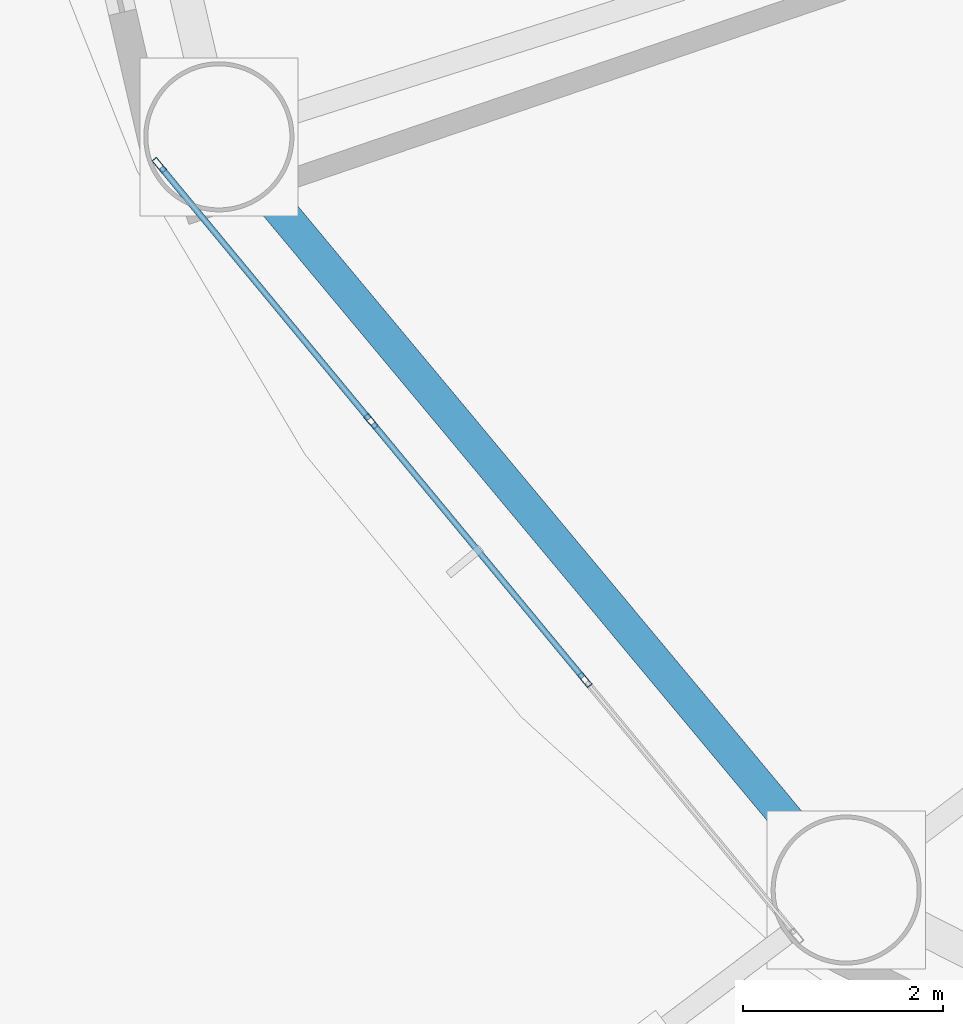
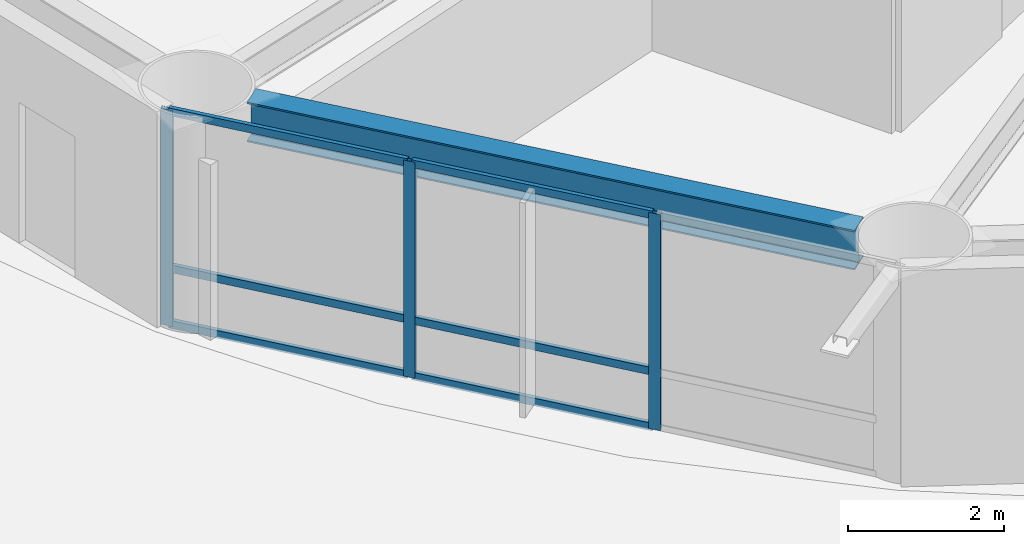
# One storey, part 2 of 30: 9 members, 1 beam, 1 element without a shape of its own.
"""IFC4 building model written with IfcOpenShell, lengths in metres."""

import ifcopenshell
import ifcopenshell.guid

model = None  # the IFC model being written
_history = None  # IfcOwnerHistory: only IFC2X3 demands one
_inside = {}  # id of a spatial element -> (the spatial element, [elements in it])
_under = {}  # id of a project, library or spatial element -> (it, [spatial elements below it])
_declared = {}  # id of a project -> (the project, [libraries it declares])
_typed = {}  # id of a type object -> (the type object, [elements of that type])
_made_of = {}  # id of a material, layer set ... -> (it, [elements and type objects made of it])


def new_model(schema):
    """Start an empty IFC model of exactly this schema.

    Asked for "IFC4X3", IfcOpenShell would pick the latest addendum, in which some entities
    have other attributes; the version numbers below select the first issue.
    IFC2X3 requires an IfcOwnerHistory on every rooted entity: one is made here for all.
    """
    global model, _history
    if schema == "IFC4X3":
        model = ifcopenshell.file(schema_version=(4, 3, 0, 0))
    else:
        model = ifcopenshell.file(schema=schema)
    _inside.clear()
    _under.clear()
    _declared.clear()
    _typed.clear()
    _made_of.clear()
    _history = None
    if model.schema == "IFC2X3":
        org = make("IfcOrganization", Name="unknown")
        user = make(
            "IfcPersonAndOrganization",
            ThePerson=make("IfcPerson", FamilyName="unknown"),
            TheOrganization=org,
        )
        app = make(
            "IfcApplication",
            ApplicationDeveloper=org,
            Version="unknown",
            ApplicationFullName="unknown",
            ApplicationIdentifier="unknown",
        )
        _history = make(
            "IfcOwnerHistory",
            OwningUser=user,
            OwningApplication=app,
            ChangeAction="ADDED",
            CreationDate=0,
        )
    return model


def make(cls, **values):
    """One entity of the class cls with the attributes given. An attribute that is None is left unset."""
    return model.create_entity(
        cls, **{name: value for name, value in values.items() if value is not None}
    )


def rooted(cls, **values):
    """An entity with a GlobalId (a new one), such as an element, a storey or a relation."""
    return make(cls, GlobalId=ifcopenshell.guid.new(), OwnerHistory=_history, **values)


def si_unit(unit_type, name, prefix=None):
    """IfcSIUnit, for example si_unit("LENGTHUNIT", "METRE", prefix="MILLI")."""
    return make("IfcSIUnit", UnitType=unit_type, Prefix=prefix, Name=name)


def assignment(units):
    """IfcUnitAssignment: the units of a project."""
    return None if units is None else make("IfcUnitAssignment", Units=units)


def point(xyz):
    """IfcCartesianPoint."""
    return None if xyz is None else make("IfcCartesianPoint", Coordinates=xyz)


def direction(xyz):
    """IfcDirection."""
    return None if xyz is None else make("IfcDirection", DirectionRatios=xyz)


def frame(location, z_axis=None, x_axis=None):
    """IfcAxis2Placement3D, a coordinate frame: its origin and axes. An axis left out is left unset."""
    return make(
        "IfcAxis2Placement3D",
        Location=point(location),
        Axis=direction(z_axis),
        RefDirection=direction(x_axis),
    )


def frame_2d(location, x_axis=None):
    """IfcAxis2Placement2D, a coordinate frame in the plane: its origin and x axis."""
    return make(
        "IfcAxis2Placement2D", Location=point(location), RefDirection=direction(x_axis)
    )


def origin():
    """The frame at (0, 0, 0) with its axes left unset."""
    return frame((0.0, 0.0, 0.0))


def origin_2d():
    """The frame at (0, 0) in the plane with its x axis left unset."""
    return frame_2d((0.0, 0.0))


def place(relative_to, where):
    """IfcLocalPlacement: puts the frame where relative to a parent placement (None: the world)."""
    return make(
        "IfcLocalPlacement", PlacementRelTo=relative_to, RelativePlacement=where
    )


def context(
    kind, dimensions, precision=None, world=None, true_north=None, identifier=None
):
    """IfcGeometricRepresentationContext, for example the 3D "Model" context."""
    return make(
        "IfcGeometricRepresentationContext",
        ContextIdentifier=identifier,
        ContextType=kind,
        CoordinateSpaceDimension=dimensions,
        Precision=precision,
        WorldCoordinateSystem=world,
        TrueNorth=true_north,
    )


def subcontext(parent, identifier, kind, view, scale=None):
    """IfcGeometricRepresentationSubContext, for example "Body" below "Model"."""
    return make(
        "IfcGeometricRepresentationSubContext",
        ContextIdentifier=identifier,
        ContextType=kind,
        ParentContext=parent,
        TargetScale=scale,
        TargetView=view,
    )


def project(units=None, contexts=None):
    """IfcProject with its units and contexts."""
    return rooted(
        "IfcProject",
        Name="project",
        RepresentationContexts=contexts,
        UnitsInContext=assignment(units),
    )


def spatial(cls, under=None, at=None, **own):
    """A site, building, storey or space (cls), placed at a placement, below another one or the project."""
    s = rooted(cls, ObjectPlacement=at, **own)
    if under is not None:
        _under.setdefault(under.id(), (under, []))[1].append(s)
    return s


def profile(cls, at=None, kind="AREA", **sizes):
    """A parametric profile (cls). Its sizes go by their IFC names, for example OverallWidth=200.0."""
    return make(cls, ProfileType=kind, Position=at, **sizes)


def hollow_rectangle(**sizes):
    """IfcRectangleHollowProfileDef."""
    return profile("IfcRectangleHollowProfileDef", **sizes)


def i_section(**sizes):
    """IfcIShapeProfileDef."""
    return profile("IfcIShapeProfileDef", **sizes)


def extrude(swept, where, along, depth):
    """IfcExtrudedAreaSolid: the profile swept, set in the frame where, extruded along a direction by depth."""
    return make(
        "IfcExtrudedAreaSolid",
        SweptArea=swept,
        Position=where,
        ExtrudedDirection=direction(along),
        Depth=depth,
    )


def shape(context_of_items, identifier, shape_type, items):
    """IfcShapeRepresentation: the items that make up one representation, for example the "Body"."""
    return make(
        "IfcShapeRepresentation",
        ContextOfItems=context_of_items,
        RepresentationIdentifier=identifier,
        RepresentationType=shape_type,
        Items=items,
    )


def material(Name=None, Category=None):
    """IfcMaterial."""
    return make("IfcMaterial", Name=Name, Category=Category)


def layer(
    of_material, thickness, ventilated=None, Name=None, Category=None, Priority=None
):
    """IfcMaterialLayer: one layer of a wall or slab, of a material (None: an air gap)."""
    return make(
        "IfcMaterialLayer",
        Material=of_material,
        LayerThickness=thickness,
        IsVentilated=ventilated,
        Name=Name,
        Category=Category,
        Priority=Priority,
    )


def layer_set(layers, Name=None):
    """IfcMaterialLayerSet."""
    return make("IfcMaterialLayerSet", MaterialLayers=layers, LayerSetName=Name)


def material_profile(
    of_material, cross_section, Name=None, Category=None, Priority=None
):
    """IfcMaterialProfile: a cross section and its material."""
    return make(
        "IfcMaterialProfile",
        Name=Name,
        Material=of_material,
        Profile=cross_section,
        Priority=Priority,
        Category=Category,
    )


def profile_set(profiles, Name=None, composite=None):
    """IfcMaterialProfileSet."""
    return make(
        "IfcMaterialProfileSet",
        Name=Name,
        MaterialProfiles=profiles,
        CompositeProfile=composite,
    )


def made_of(thing, what):
    """Note that an element or type object is made of a material, layer set ...; save() writes the relation."""
    if what is not None:
        _made_of.setdefault(what.id(), (what, []))[1].append(thing)
    return thing


def type_object(cls, material=None, **own):
    """A type object (cls), such as IfcWallType, which elements share."""
    return made_of(rooted(cls, **own), material)


def element(
    cls,
    number,
    at=None,
    inside=None,
    cuts=None,
    type_object=None,
    material=None,
    context=None,
    identifier="Body",
    shape_type=None,
    held_by="IfcProductDefinitionShape",
    body=None,
    shapes=None,
    **own,
):
    """One element of the class cls, such as IfcWall. Its Tag is "e" and its number.

    at: its placement. inside: the storey or other place that contains it. cuts: it is an
    opening in that element (IfcRelVoidsElement). A single representation is given by context,
    identifier, shape_type and body (its items); several are given by shapes. held_by: the class
    of the entity that holds the representations. save() writes the other relations.
    """
    e = rooted(cls, Tag="e%d" % number, ObjectPlacement=at, **own)
    if body is not None:
        shapes = [shape(context, identifier, shape_type, body)]
    if shapes is not None:
        e.Representation = make(held_by, Representations=shapes)
    if inside is not None:
        _inside.setdefault(inside.id(), (inside, []))[1].append(e)
    if cuts is not None:
        rooted(
            "IfcRelVoidsElement", RelatingBuildingElement=cuts, RelatedOpeningElement=e
        )
    if type_object is not None:
        _typed.setdefault(type_object.id(), (type_object, []))[1].append(e)
    return made_of(e, material)


def aggregate(whole, parts):
    """IfcRelAggregates: a whole, such as a stair, and the parts it consists of."""
    return rooted("IfcRelAggregates", RelatingObject=whole, RelatedObjects=parts)


def save(model, path):
    """Write the relations noted so far, then the file.

    IfcRelAggregates (storeys below a building ...), IfcRelContainedInSpatialStructure (elements
    in a storey), IfcRelDefinesByType, IfcRelAssociatesMaterial and IfcRelDeclares: one each for
    every whole, place, type object, material and project.
    """
    for whole, parts in _under.values():
        aggregate(whole, parts)
    for where, things in _inside.values():
        rooted(
            "IfcRelContainedInSpatialStructure",
            RelatedElements=things,
            RelatingStructure=where,
        )
    for kind, things in _typed.values():
        rooted("IfcRelDefinesByType", RelatedObjects=things, RelatingType=kind)
    for what, things in _made_of.values():
        rooted("IfcRelAssociatesMaterial", RelatedObjects=things, RelatingMaterial=what)
    for by, libraries in _declared.values():
        rooted("IfcRelDeclares", RelatingContext=by, RelatedDefinitions=libraries)
    model.write(path)


model = new_model("IFC4")

# Units and contexts
model_context = context("Model", 3, precision=1e-05, world=origin(), true_north=direction((0.0, 1.0)))
body_context = subcontext(model_context, "Body", "Model", "MODEL_VIEW")
ifc_project = project(units=[si_unit("LENGTHUNIT", "METRE"), si_unit("AREAUNIT", "SQUARE_METRE"), si_unit("VOLUMEUNIT", "CUBIC_METRE"), si_unit("PLANEANGLEUNIT", "RADIAN"), si_unit("MASSUNIT", "GRAM", prefix="KILO")], contexts=[model_context])

# Site, building, storey
site_placement = place(None, origin())
site = spatial("IfcSite", under=ifc_project, at=site_placement, CompositionType="ELEMENT")
building_placement = place(site_placement, origin())
building = spatial("IfcBuilding", under=site, at=building_placement, Name="Sarneth Arch Tower", CompositionType="ELEMENT")
storey_placement = place(building_placement, frame((0.0, 0.0, 28.199951171875)))
storey = spatial("IfcBuildingStorey", under=building, at=storey_placement, Name="L05", CompositionType="ELEMENT", Elevation=28.199951171875)

# Beam
ifc_material_1 = material(Name="Steel S355", Category="steel")
ifc_material_profile_1 = material_profile(ifc_material_1, i_section(OverallWidth=0.326904296875, OverallDepth=0.6220703125, WebThickness=0.015380859375, FlangeThickness=0.0244140625, FilletRadius=0.01904296875, at=origin_2d()), Name="W610x195")
ifc_profile_set_1 = profile_set([ifc_material_profile_1], Name="Steel S355")
beam_type = type_object("IfcBeamType", Name="BM-SPAN-610A", PredefinedType="SPANDREL", material=ifc_profile_set_1)
beam_placement = place(storey_placement, frame((20.514404296875, 32.54541015625, 3.069091796875), z_axis=(0.639981736251, -0.768390120489, 0.0), x_axis=(0.768390120489, 0.639981736251, 0.0)))
element("IfcBeam", 1, at=beam_placement, inside=storey, type_object=beam_type, Name="L05 Perimeter spandrel beam 10", PredefinedType="SPANDREL", context=body_context, shape_type="SweptSolid", body=[
    extrude(i_section(OverallWidth=0.326904296875, OverallDepth=0.6220703125, WebThickness=0.015380859375, FlangeThickness=0.0244140625, FilletRadius=0.01904296875, at=origin_2d()), origin(), (0.0, 0.0, 1.0), 8.29541015625),
])

# Curtain wall, members
ifc_material_2 = material(Name="Anodised aluminium Type AA25 and solar-control low-e laminated IGU", Category="aluminium")
ifc_layer = layer(ifc_material_2, 0.159912109375)
ifc_layer_set = layer_set([ifc_layer], Name="Anodised aluminium Type AA25 and solar-control low-e laminated IGU")
curtain_wall_type = type_object("IfcCurtainWallType", Name="CW-HOTEL-LOW", PredefinedType="NOTDEFINED", material=ifc_layer_set)
curtain_wall_placement = place(storey_placement, origin())
curtain_wall = element("IfcCurtainWall", 2, at=curtain_wall_placement, inside=storey, type_object=curtain_wall_type, Name="L05 Unitised curtain wall facet 10", PredefinedType="NOTDEFINED")
ifc_material_3 = material(Name="Anodised Aluminium 6063-T6", Category="aluminium")
ifc_material_profile_2 = material_profile(ifc_material_3, hollow_rectangle(XDim=0.06005859375, YDim=0.159912109375, WallThickness=0.00390625, at=origin_2d()), Name="AL-MULL-160x60x4")
ifc_profile_set_2 = profile_set([ifc_material_profile_2], Name="Anodised Aluminium 6063-T6")
member_type_1 = type_object("IfcMemberType", Name="CW-MULLION", PredefinedType="MULLION", material=ifc_profile_set_2)
member_1_placement = place(storey_placement, frame((19.438232421875, 32.83837890625, 0.0), z_axis=(0.0, 0.0, 1.0), x_axis=(0.770622960278, 0.637291340827, 0.0)))
member_1 = element("IfcMember", 3, at=member_1_placement, type_object=member_type_1, Name="CW-SYS-3 mullion 1", PredefinedType="MULLION", context=body_context, shape_type="SweptSolid", body=[
    extrude(hollow_rectangle(XDim=0.06005859375, YDim=0.159912109375, WallThickness=0.00390625, at=origin_2d()), origin(), (0.0, 0.0, 1.0), 3.380126953125),
])
member_2_placement = place(storey_placement, frame((21.5546875, 30.279052734375, 0.0), z_axis=(0.0, 0.0, 1.0), x_axis=(0.770622960278, 0.637291340827, 0.0)))
member_2 = element("IfcMember", 4, at=member_2_placement, type_object=member_type_1, Name="CW-SYS-3 mullion 2", PredefinedType="MULLION", context=body_context, shape_type="SweptSolid", body=[
    extrude(hollow_rectangle(XDim=0.06005859375, YDim=0.159912109375, WallThickness=0.00390625, at=origin_2d()), origin(), (0.0, 0.0, 1.0), 3.380126953125),
])
member_3_placement = place(storey_placement, frame((23.690185546875, 27.69677734375, 0.0), z_axis=(0.0, 0.0, 1.0), x_axis=(0.770622960278, 0.637291340827, 0.0)))
member_3 = element("IfcMember", 5, at=member_3_placement, type_object=member_type_1, Name="CW-SYS-3 mullion 3", PredefinedType="MULLION", context=body_context, shape_type="SweptSolid", body=[
    extrude(hollow_rectangle(XDim=0.06005859375, YDim=0.159912109375, WallThickness=0.00390625, at=origin_2d()), origin(), (0.0, 0.0, 1.0), 3.380126953125),
])
ifc_material_4 = material(Name="Anodised Aluminium 6063-T6", Category="aluminium")
ifc_material_profile_3 = material_profile(ifc_material_4, hollow_rectangle(XDim=0.06005859375, YDim=0.1201171875, WallThickness=0.00390625, at=origin_2d()), Name="AL-TRAN-120x60x4")
ifc_profile_set_3 = profile_set([ifc_material_profile_3], Name="Anodised Aluminium 6063-T6")
member_type_2 = type_object("IfcMemberType", Name="CW-TRANSOM", PredefinedType="USERDEFINED", material=ifc_profile_set_3)
member_4_placement = place(storey_placement, frame((19.457275390625, 32.815185546875, 0.030029296875), z_axis=(0.63733019572, -0.77059082633, 0.0), x_axis=(0.77059082633, 0.63733019572, 0.0)))
member_4 = element("IfcMember", 6, at=member_4_placement, type_object=member_type_2, Name="CW-SYS-3 transom 1.1", ObjectType="TRANSOM", PredefinedType="USERDEFINED", context=body_context, shape_type="SweptSolid", body=[
    extrude(hollow_rectangle(XDim=0.06005859375, YDim=0.1201171875, WallThickness=0.00390625, at=origin_2d()), origin(), (0.0, 0.0, 1.0), 3.260986328125),
])
member_5_placement = place(storey_placement, frame((19.457275390625, 32.815185546875, 0.900146484375), z_axis=(0.63733019572, -0.77059082633, 0.0), x_axis=(0.77059082633, 0.63733019572, 0.0)))
member_5 = element("IfcMember", 7, at=member_5_placement, type_object=member_type_2, Name="CW-SYS-3 transom 1.2", ObjectType="TRANSOM", PredefinedType="USERDEFINED", context=body_context, shape_type="SweptSolid", body=[
    extrude(hollow_rectangle(XDim=0.06005859375, YDim=0.1201171875, WallThickness=0.00390625, at=origin_2d()), origin(), (0.0, 0.0, 1.0), 3.260986328125),
])
member_6_placement = place(storey_placement, frame((19.457275390625, 32.815185546875, 3.35009765625), z_axis=(0.63733019572, -0.77059082633, 0.0), x_axis=(0.77059082633, 0.63733019572, 0.0)))
member_6 = element("IfcMember", 8, at=member_6_placement, type_object=member_type_2, Name="CW-SYS-3 transom 1.3", ObjectType="TRANSOM", PredefinedType="USERDEFINED", context=body_context, shape_type="SweptSolid", body=[
    extrude(hollow_rectangle(XDim=0.06005859375, YDim=0.1201171875, WallThickness=0.00390625, at=origin_2d()), origin(), (0.0, 0.0, 1.0), 3.260986328125),
])
member_7_placement = place(storey_placement, frame((21.57373046875, 30.256103515625, 0.030029296875), z_axis=(0.637268595771, -0.770641769465, 0.0), x_axis=(0.770641769465, 0.637268595771, 0.0)))
member_7 = element("IfcMember", 9, at=member_7_placement, type_object=member_type_2, Name="CW-SYS-3 transom 2.1", ObjectType="TRANSOM", PredefinedType="USERDEFINED", context=body_context, shape_type="SweptSolid", body=[
    extrude(hollow_rectangle(XDim=0.06005859375, YDim=0.1201171875, WallThickness=0.00390625, at=origin_2d()), origin(), (0.0, 0.0, 1.0), 3.291259765625),
])
member_8_placement = place(storey_placement, frame((21.57373046875, 30.256103515625, 0.900146484375), z_axis=(0.637268595771, -0.770641769465, 0.0), x_axis=(0.770641769465, 0.637268595771, 0.0)))
member_8 = element("IfcMember", 10, at=member_8_placement, type_object=member_type_2, Name="CW-SYS-3 transom 2.2", ObjectType="TRANSOM", PredefinedType="USERDEFINED", context=body_context, shape_type="SweptSolid", body=[
    extrude(hollow_rectangle(XDim=0.06005859375, YDim=0.1201171875, WallThickness=0.00390625, at=origin_2d()), origin(), (0.0, 0.0, 1.0), 3.291259765625),
])
member_9_placement = place(storey_placement, frame((21.57373046875, 30.256103515625, 3.35009765625), z_axis=(0.637268595771, -0.770641769465, 0.0), x_axis=(0.770641769465, 0.637268595771, 0.0)))
member_9 = element("IfcMember", 11, at=member_9_placement, type_object=member_type_2, Name="CW-SYS-3 transom 2.3", ObjectType="TRANSOM", PredefinedType="USERDEFINED", context=body_context, shape_type="SweptSolid", body=[
    extrude(hollow_rectangle(XDim=0.06005859375, YDim=0.1201171875, WallThickness=0.00390625, at=origin_2d()), origin(), (0.0, 0.0, 1.0), 3.291259765625),
])
aggregate(curtain_wall, [member_1, member_2, member_3, member_4, member_5, member_6, member_7, member_8, member_9])

save(model, "model.ifc")
